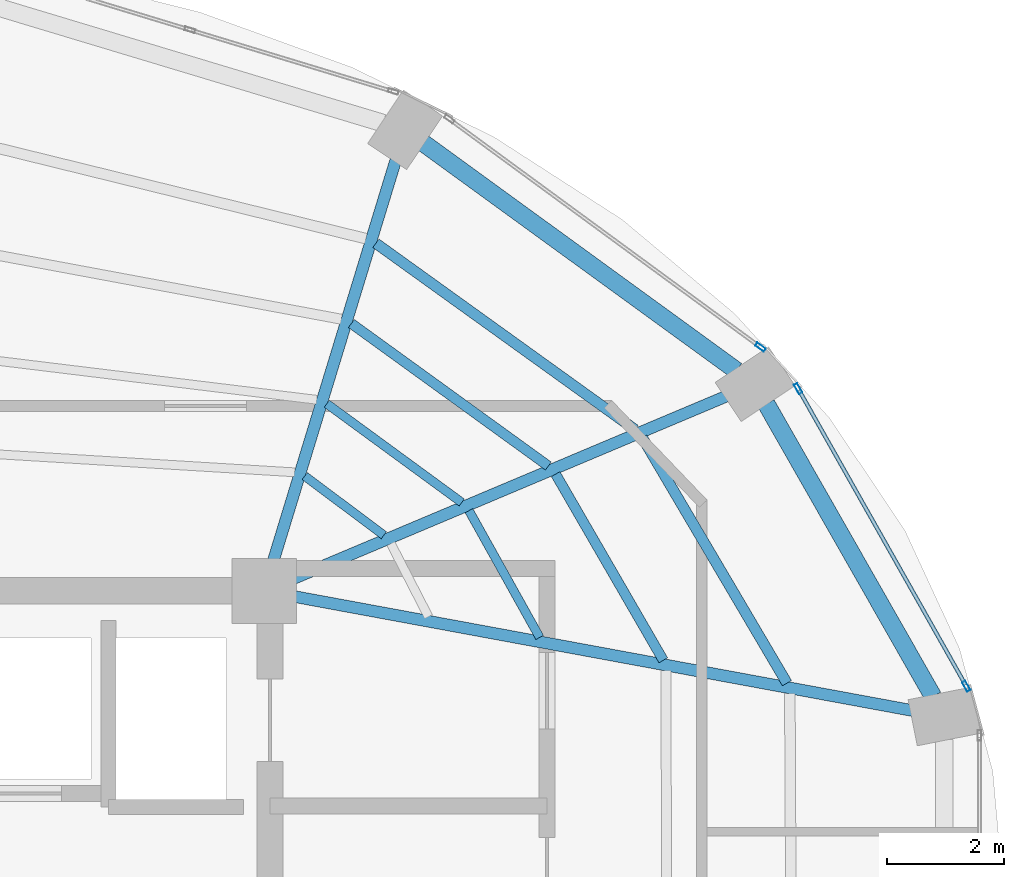
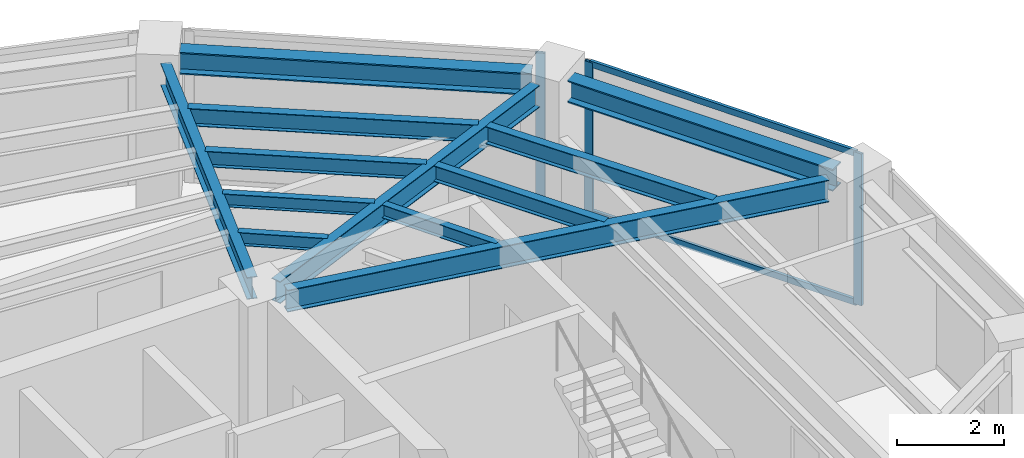
# One storey, part 15 of 23: 12 beams, 5 members, 2 elements without a shape of their own.
"""IFC4 building model written with IfcOpenShell, lengths in metres."""

from ifc_helpers import new_model, si_unit, direction, frame, origin, origin_2d, place, context, subcontext, project, spatial, hollow_rectangle, i_section, extrude, material, layer, layer_set, material_profile, profile_set, type_object, element, aggregate, save


model = new_model("IFC4")

# Units and contexts
model_context = context("Model", 3, precision=1e-05, world=origin(), true_north=direction((0.0, 1.0)))
body_context = subcontext(model_context, "Body", "Model", "MODEL_VIEW")
ifc_project = project(units=[si_unit("LENGTHUNIT", "METRE"), si_unit("AREAUNIT", "SQUARE_METRE"), si_unit("VOLUMEUNIT", "CUBIC_METRE"), si_unit("PLANEANGLEUNIT", "RADIAN"), si_unit("MASSUNIT", "GRAM", prefix="KILO")], contexts=[model_context])

# Site, building, storey
site_placement = place(None, origin())
site = spatial("IfcSite", under=ifc_project, at=site_placement, CompositionType="ELEMENT")
building_placement = place(site_placement, origin())
building = spatial("IfcBuilding", under=site, at=building_placement, Name="Lazwardi Medical Tower", CompositionType="ELEMENT")
storey_placement = place(building_placement, frame((0.0, 0.0, 231.31201171875)))
storey = spatial("IfcBuildingStorey", under=building, at=storey_placement, Name="L60", CompositionType="ELEMENT", Elevation=231.31201171875)

# Beams
ifc_material_1 = material(Name="Steel S355", Category="steel")
ifc_material_profile_1 = material_profile(ifc_material_1, i_section(OverallWidth=0.300048828125, OverallDepth=0.5, WebThickness=0.014404296875, FlangeThickness=0.028076171875, at=origin_2d()), Name="HEB 500")
ifc_profile_set_1 = profile_set([ifc_material_profile_1], Name="Steel S355")
beam_type_1 = type_object("IfcBeamType", Name="BM-RB-Z4", PredefinedType="BEAM", material=ifc_profile_set_1)
beam_1_placement = place(storey_placement, frame((56.991943359375, 33.8017578125, 3.197998046875), z_axis=(-0.495125273299, 0.868821594886, 0.0), x_axis=(-0.868821594886, -0.495125273299, 0.0)))
element("IfcBeam", 1, at=beam_1_placement, inside=storey, type_object=beam_type_1, Name="Ring beam RB-05 B05 L60", PredefinedType="BEAM", context=body_context, shape_type="SweptSolid", body=[
    extrude(i_section(OverallWidth=0.300048828125, OverallDepth=0.5, WebThickness=0.014404296875, FlangeThickness=0.028076171875, at=origin_2d()), origin(), (0.0, 0.0, 1.0), 5.734130859375),
])
beam_2_placement = place(storey_placement, frame((53.644287109375, 39.351806640625, 3.197998046875), z_axis=(-0.808889916254, 0.587960120571, 0.0), x_axis=(-0.587960120571, -0.808889916254, 0.0)))
element("IfcBeam", 2, at=beam_2_placement, inside=storey, type_object=beam_type_1, Name="Ring beam RB-05 B06 L60", PredefinedType="BEAM", context=body_context, shape_type="SweptSolid", body=[
    extrude(i_section(OverallWidth=0.300048828125, OverallDepth=0.5, WebThickness=0.014404296875, FlangeThickness=0.028076171875, at=origin_2d()), origin(), (0.0, 0.0, 1.0), 6.587158203125),
])
ifc_material_profile_2 = material_profile(ifc_material_1, i_section(OverallWidth=0.199951171875, OverallDepth=0.5, WebThickness=0.01025390625, FlangeThickness=0.01611328125, at=origin_2d()), Name="IPE 500")
ifc_profile_set_2 = profile_set([ifc_material_profile_2], Name="Steel S355")
beam_type_2 = type_object("IfcBeamType", Name="BM-RG-W3", PredefinedType="BEAM", material=ifc_profile_set_2)
beam_3_placement = place(storey_placement, frame((56.658935546875, 33.56005859375, 3.197998046875), z_axis=(-0.983409341459, 0.181400295288, 0.0), x_axis=(-0.181400295288, -0.983409341459, 0.0)))
element("IfcBeam", 3, at=beam_3_placement, inside=storey, type_object=beam_type_2, Name="Radial girder RG-04 R05 L60", PredefinedType="BEAM", context=body_context, shape_type="SweptSolid", body=[
    extrude(i_section(OverallWidth=0.199951171875, OverallDepth=0.5, WebThickness=0.01025390625, FlangeThickness=0.01611328125, at=origin_2d()), origin(), (0.0, 0.0, 1.0), 10.71044921875),
])
beam_4_placement = place(storey_placement, frame((53.466796875, 38.914794921875, 3.197998046875), z_axis=(-0.921526791352, -0.388314785735, 0.0), x_axis=(0.388314785735, -0.921526791352, 0.0)))
element("IfcBeam", 4, at=beam_4_placement, inside=storey, type_object=beam_type_2, Name="Radial girder RG-04 R06 L60", PredefinedType="BEAM", context=body_context, shape_type="SweptSolid", body=[
    extrude(i_section(OverallWidth=0.199951171875, OverallDepth=0.5, WebThickness=0.01025390625, FlangeThickness=0.01611328125, at=origin_2d()), origin(), (0.0, 0.0, 1.0), 8.001708984375),
])
beam_5_placement = place(storey_placement, frame((47.843994140625, 42.9423828125, 3.197998046875), z_axis=(-0.292276716539, -0.956333791607, 0.0), x_axis=(0.956333791607, -0.292276716539, 0.0)))
element("IfcBeam", 5, at=beam_5_placement, inside=storey, type_object=beam_type_2, Name="Radial girder RG-04 R07 L60", PredefinedType="BEAM", context=body_context, shape_type="SweptSolid", body=[
    extrude(i_section(OverallWidth=0.199951171875, OverallDepth=0.5, WebThickness=0.01025390625, FlangeThickness=0.01611328125, at=origin_2d()), origin(), (0.0, 0.0, 1.0), 7.142822265625),
])
ifc_material_profile_3 = material_profile(ifc_material_1, i_section(OverallWidth=0.179931640625, OverallDepth=0.39990234375, WebThickness=0.008544921875, FlangeThickness=0.013427734375, at=origin_2d()), Name="IPE 400")
ifc_profile_set_3 = profile_set([ifc_material_profile_3], Name="Steel S355")
beam_type_3 = type_object("IfcBeamType", Name="BM-SJ-01", PredefinedType="JOIST", material=ifc_profile_set_3)
beam_6_placement = place(storey_placement, frame((54.504150390625, 34.030517578125, 3.248046875), z_axis=(-0.507710311367, 0.861527851977, 0.0), x_axis=(-0.861527851977, -0.507710311367, 0.0)))
element("IfcBeam", 6, at=beam_6_placement, inside=storey, type_object=beam_type_3, Name="Secondary joist SJ-01 R1 B05 L60", PredefinedType="JOIST", context=body_context, shape_type="SweptSolid", body=[
    extrude(i_section(OverallWidth=0.179931640625, OverallDepth=0.39990234375, WebThickness=0.008544921875, FlangeThickness=0.013427734375, at=origin_2d()), origin(), (0.0, 0.0, 1.0), 4.852783203125),
])
beam_7_placement = place(storey_placement, frame((51.914794921875, 38.348876953125, 3.248046875), z_axis=(-0.811889581337, 0.58381102055, 0.0), x_axis=(-0.58381102055, -0.811889581337, 0.0)))
element("IfcBeam", 7, at=beam_7_placement, inside=storey, type_object=beam_type_3, Name="Secondary joist SJ-01 R1 B06 L60", PredefinedType="JOIST", context=body_context, shape_type="SweptSolid", body=[
    extrude(i_section(OverallWidth=0.179931640625, OverallDepth=0.39990234375, WebThickness=0.008544921875, FlangeThickness=0.013427734375, at=origin_2d()), origin(), (0.0, 0.0, 1.0), 5.433349609375),
])
ifc_material_profile_4 = material_profile(ifc_material_1, i_section(OverallWidth=0.169921875, OverallDepth=0.360107421875, WebThickness=0.008056640625, FlangeThickness=0.0126953125, at=origin_2d()), Name="IPE 360")
ifc_profile_set_4 = profile_set([ifc_material_profile_4], Name="Steel S355")
beam_type_4 = type_object("IfcBeamType", Name="BM-SJ-02", PredefinedType="JOIST", material=ifc_profile_set_4)
beam_8_placement = place(storey_placement, frame((52.398193359375, 34.41943359375, 3.26806640625), z_axis=(-0.500655179543, 0.865646805109, 0.0), x_axis=(-0.865646805109, -0.500655179543, 0.0)))
element("IfcBeam", 8, at=beam_8_placement, inside=storey, type_object=beam_type_4, Name="Secondary joist SJ-02 R2 B05 L60", PredefinedType="JOIST", context=body_context, shape_type="SweptSolid", body=[
    extrude(i_section(OverallWidth=0.169921875, OverallDepth=0.360107421875, WebThickness=0.008056640625, FlangeThickness=0.0126953125, at=origin_2d()), origin(), (0.0, 0.0, 1.0), 3.662109375),
])
beam_9_placement = place(storey_placement, frame((50.440185546875, 37.7275390625, 3.26806640625), z_axis=(-0.810164229155, 0.586202969796, 0.0), x_axis=(-0.586202969796, -0.810164229155, 0.0)))
element("IfcBeam", 9, at=beam_9_placement, inside=storey, type_object=beam_type_4, Name="Secondary joist SJ-02 R2 B06 L60", PredefinedType="JOIST", context=body_context, shape_type="SweptSolid", body=[
    extrude(i_section(OverallWidth=0.169921875, OverallDepth=0.360107421875, WebThickness=0.008056640625, FlangeThickness=0.0126953125, at=origin_2d()), origin(), (0.0, 0.0, 1.0), 4.14013671875),
])
ifc_material_profile_5 = material_profile(ifc_material_1, i_section(OverallWidth=0.14990234375, OverallDepth=0.300048828125, WebThickness=0.007080078125, FlangeThickness=0.0107421875, at=origin_2d()), Name="IPE 300")
ifc_profile_set_5 = profile_set([ifc_material_profile_5], Name="Steel S355")
beam_type_5 = type_object("IfcBeamType", Name="BM-SJ-03", PredefinedType="JOIST", material=ifc_profile_set_5)
beam_10_placement = place(storey_placement, frame((50.29296875, 34.80859375, 3.298095703125), z_axis=(-0.487092942089, 0.873350139272, 0.0), x_axis=(-0.873350139272, -0.487092942089, 0.0)))
element("IfcBeam", 10, at=beam_10_placement, inside=storey, type_object=beam_type_5, Name="Secondary joist SJ-03 R3 B05 L60", PredefinedType="JOIST", context=body_context, shape_type="SweptSolid", body=[
    extrude(i_section(OverallWidth=0.14990234375, OverallDepth=0.300048828125, WebThickness=0.007080078125, FlangeThickness=0.0107421875, at=origin_2d()), origin(), (0.0, 0.0, 1.0), 2.471923828125),
])
beam_11_placement = place(storey_placement, frame((48.9658203125, 37.106689453125, 3.298095703125), z_axis=(-0.80703431267, 0.59050454543, 0.0), x_axis=(-0.59050454543, -0.80703431267, 0.0)))
element("IfcBeam", 11, at=beam_11_placement, inside=storey, type_object=beam_type_5, Name="Secondary joist SJ-03 R3 B06 L60", PredefinedType="JOIST", context=body_context, shape_type="SweptSolid", body=[
    extrude(i_section(OverallWidth=0.14990234375, OverallDepth=0.300048828125, WebThickness=0.007080078125, FlangeThickness=0.0107421875, at=origin_2d()), origin(), (0.0, 0.0, 1.0), 2.846923828125),
])
beam_12_placement = place(storey_placement, frame((47.63916015625, 36.548095703125, 3.298095703125), z_axis=(-0.800365301971, 0.599512621553, 0.0), x_axis=(-0.599512621553, -0.800365301971, 0.0)))
element("IfcBeam", 12, at=beam_12_placement, inside=storey, type_object=beam_type_5, Name="Secondary joist SJ-03 R4 B06 L60", PredefinedType="JOIST", context=body_context, shape_type="SweptSolid", body=[
    extrude(i_section(OverallWidth=0.14990234375, OverallDepth=0.300048828125, WebThickness=0.007080078125, FlangeThickness=0.0107421875, at=origin_2d()), origin(), (0.0, 0.0, 1.0), 1.68359375),
])

# Curtain wall, members
ifc_material_2 = material(Name="Anodised bronze aluminium and solar control glazing", Category="aluminium")
ifc_layer = layer(ifc_material_2, 0.18994140625)
ifc_layer_set = layer_set([ifc_layer], Name="Anodised bronze aluminium and solar control glazing")
curtain_wall_type = type_object("IfcCurtainWallType", Name="CW-SYS-04", PredefinedType="NOTDEFINED", material=ifc_layer_set)
curtain_wall_1_placement = place(storey_placement, origin())
curtain_wall_1 = element("IfcCurtainWall", 13, at=curtain_wall_1_placement, inside=storey, type_object=curtain_wall_type, Name="L60 Unitised bronze curtain wall CW-04", PredefinedType="NOTDEFINED")
ifc_material_3 = material(Name="Anodised bronze aluminium", Category="aluminium")
ifc_material_profile_6 = material_profile(ifc_material_3, hollow_rectangle(XDim=0.06494140625, YDim=0.179931640625, WallThickness=0.00390625, at=origin_2d()), Name="ALU-MULLION 180x65x4")
ifc_profile_set_6 = profile_set([ifc_material_profile_6], Name="Anodised bronze aluminium")
member_type_1 = type_object("IfcMemberType", Name="CW-MUL-03", PredefinedType="MULLION", material=ifc_profile_set_6)
member_1_placement = place(storey_placement, frame((57.557373046875, 33.978271484375, 0.0), z_axis=(0.0, 0.0, 1.0), x_axis=(-0.870651436011, -0.491900474661, 0.0)))
member_1 = element("IfcMember", 14, at=member_1_placement, type_object=member_type_1, Name="CW-04 mullion 1", PredefinedType="MULLION", context=body_context, shape_type="SweptSolid", body=[
    extrude(hollow_rectangle(XDim=0.06494140625, YDim=0.179931640625, WallThickness=0.00390625, at=origin_2d()), origin(), (0.0, 0.0, 1.0), 3.447998046875),
])
member_2_placement = place(storey_placement, frame((54.6943359375, 39.04541015625, 0.0), z_axis=(0.0, 0.0, 1.0), x_axis=(-0.870651436011, -0.491900474661, 0.0)))
member_2 = element("IfcMember", 15, at=member_2_placement, type_object=member_type_1, Name="CW-04 mullion 2", PredefinedType="MULLION", context=body_context, shape_type="SweptSolid", body=[
    extrude(hollow_rectangle(XDim=0.06494140625, YDim=0.179931640625, WallThickness=0.00390625, at=origin_2d()), origin(), (0.0, 0.0, 1.0), 3.447998046875),
])

# Curtain wall, member
curtain_wall_2_placement = place(storey_placement, origin())
curtain_wall_2 = element("IfcCurtainWall", 16, at=curtain_wall_2_placement, inside=storey, type_object=curtain_wall_type, Name="L60 Unitised bronze curtain wall CW-04", PredefinedType="NOTDEFINED")
member_3_placement = place(storey_placement, frame((54.052001953125, 39.751708984375, 0.0), z_axis=(0.0, 0.0, 1.0), x_axis=(-0.591268230971, -0.806474971121, 0.0)))
member_3 = element("IfcMember", 17, at=member_3_placement, type_object=member_type_1, Name="CW-04 mullion 1", PredefinedType="MULLION", context=body_context, shape_type="SweptSolid", body=[
    extrude(hollow_rectangle(XDim=0.06494140625, YDim=0.179931640625, WallThickness=0.00390625, at=origin_2d()), origin(), (0.0, 0.0, 1.0), 3.447998046875),
])
aggregate(curtain_wall_2, [member_3])

# Member
ifc_material_profile_7 = material_profile(ifc_material_3, hollow_rectangle(XDim=0.06494140625, YDim=0.139892578125, WallThickness=0.00341796875, at=origin_2d()), Name="ALU-TRANSOM 140x65x3.5")
ifc_profile_set_7 = profile_set([ifc_material_profile_7], Name="Anodised bronze aluminium")
member_type_2 = type_object("IfcMemberType", Name="CW-TRN-03", PredefinedType="USERDEFINED", material=ifc_profile_set_7)
member_4_placement = place(storey_placement, frame((57.541259765625, 34.006591796875, 0.032470703125), z_axis=(-0.491897887635, 0.870652897623, 0.0), x_axis=(-0.870652897623, -0.491897887635, 0.0)))
member_4 = element("IfcMember", 18, at=member_4_placement, type_object=member_type_2, Name="CW-04 transom 1.1", ObjectType="TRANSOM", PredefinedType="USERDEFINED", context=body_context, shape_type="SweptSolid", body=[
    extrude(hollow_rectangle(XDim=0.06494140625, YDim=0.139892578125, WallThickness=0.00341796875, at=origin_2d()), origin(), (0.0, 0.0, 1.0), 5.7548828125),
])

member_5_placement = place(storey_placement, frame((57.541259765625, 34.006591796875, 3.41552734375), z_axis=(-0.491897887635, 0.870652897623, 0.0), x_axis=(-0.870652897623, -0.491897887635, 0.0)))
member_5 = element("IfcMember", 19, at=member_5_placement, type_object=member_type_2, Name="CW-04 transom 1.2", ObjectType="TRANSOM", PredefinedType="USERDEFINED", context=body_context, shape_type="SweptSolid", body=[
    extrude(hollow_rectangle(XDim=0.06494140625, YDim=0.139892578125, WallThickness=0.00341796875, at=origin_2d()), origin(), (0.0, 0.0, 1.0), 5.7548828125),
])

aggregate(curtain_wall_1, [member_1, member_2, member_4, member_5])

save(model, "model.ifc")
